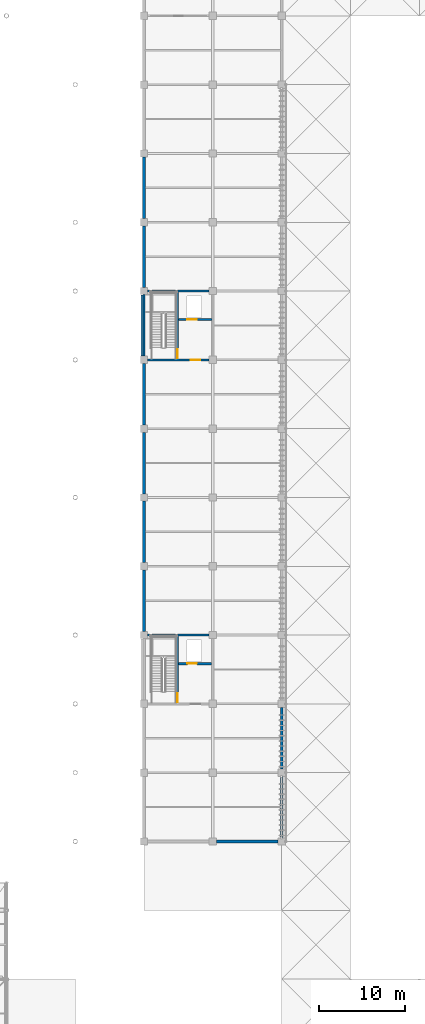
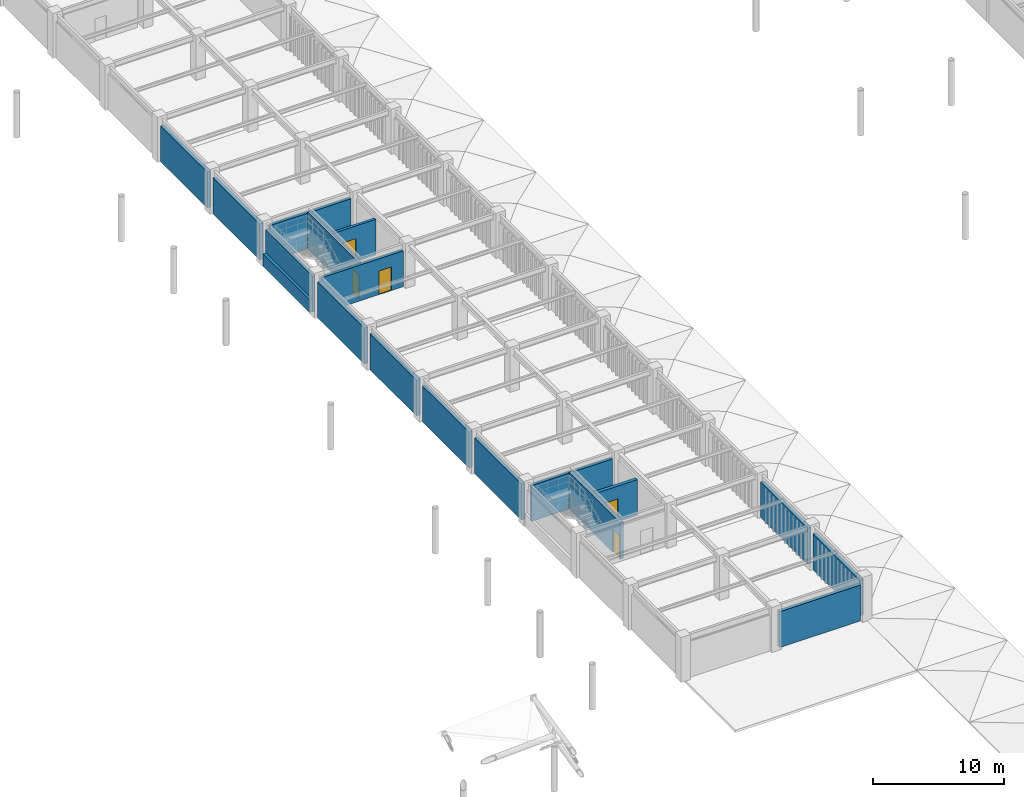
# One storey, part 55 of 78: 18 walls, 5 doors, 5 openings.
"""IFC4 building model written with IfcOpenShell, lengths in metres."""

from ifc_helpers import new_model, si_unit, direction, frame, frame_2d, origin, place, context, subcontext, project, spatial, rectangle, extrude, material, layer, layer_set, type_object, element, fill, save


model = new_model("IFC4")

# Units and contexts
model_context = context("Model", 3, precision=1e-05, world=origin(), true_north=direction((0.0, 1.0)))
body_context = subcontext(model_context, "Body", "Model", "MODEL_VIEW")
ifc_project = project(units=[si_unit("LENGTHUNIT", "METRE"), si_unit("AREAUNIT", "SQUARE_METRE"), si_unit("VOLUMEUNIT", "CUBIC_METRE"), si_unit("PLANEANGLEUNIT", "RADIAN"), si_unit("MASSUNIT", "GRAM", prefix="KILO")], contexts=[model_context])

# Site, building, storey
site_placement = place(None, origin())
site = spatial("IfcSite", under=ifc_project, at=site_placement, CompositionType="ELEMENT")
building_placement = place(site_placement, origin())
building = spatial("IfcBuilding", under=site, at=building_placement, Name="Haebicheon Civic Stadium", CompositionType="ELEMENT")
storey_placement = place(building_placement, frame((0.0, 0.0, 18.60009765625)))
storey = spatial("IfcBuildingStorey", under=building, at=storey_placement, Name="L05", CompositionType="ELEMENT", Elevation=18.60009765625)

# Wall
ifc_material_1 = material(Name="Concrete C40/50", Category="concrete")
ifc_layer_1 = layer(ifc_material_1, 0.239990234375, Name="Concrete C40/50")
ifc_layer_set_1 = layer_set([ifc_layer_1], Name="Concrete C40/50")
wall_type_1 = type_object("IfcWallType", Name="CW-SHR-240", PredefinedType="SHEAR", material=ifc_layer_set_1)
wall_1_placement = place(storey_placement, frame((144.425048828125, 72.0, 0.0), z_axis=(0.0, 0.0, 1.0), x_axis=(1.0, 0.0, 0.0)))
element("IfcWall", 1, at=wall_1_placement, inside=storey, type_object=wall_type_1, material=ifc_layer_set_1, Name="KC-10 L05 north core shear wall", PredefinedType="SHEAR", context=body_context, shape_type="SweptSolid", body=[
    extrude(rectangle(XDim=7.14990234375, YDim=0.239990234375, at=frame_2d((3.574951171875, 0.0))), origin(), (0.0, 0.0, 1.0), 3.33984375),
])

# Wall, opening, door
wall_2_placement = place(storey_placement, frame((144.425048828125, 104.0, 0.0), z_axis=(0.0, 0.0, 1.0), x_axis=(1.0, 0.0, 0.0)))
wall_2 = element("IfcWall", 2, at=wall_2_placement, inside=storey, type_object=wall_type_1, material=ifc_layer_set_1, Name="KC-11 L05 south core shear wall", PredefinedType="SHEAR", context=body_context, shape_type="SweptSolid", body=[
    extrude(rectangle(XDim=7.14990234375, YDim=0.239990234375, at=frame_2d((3.574951171875, 0.0))), origin(), (0.0, 0.0, 1.0), 3.33984375),
])
opening_1_placement = place(wall_2_placement, frame((5.0, 0.0, 0.0)))
opening_1 = element("IfcOpeningElement", 3, at=opening_1_placement, cuts=wall_2, Name="Opening D-L05-KC-11-LOB", PredefinedType="OPENING", context=body_context, shape_type="SweptSolid", body=[
    extrude(rectangle(XDim=1.10009765625, YDim=2.199951171875, at=frame_2d((0.550048828125, 1.10009765625))), frame((0.0, 0.1298828125, 0.0), z_axis=(0.0, -1.0, 0.0), x_axis=(1.0, 0.0, 0.0)), (0.0, 0.0, 1.0), 0.260009765625),
])
ifc_material_2 = material(Name="Galvanised painted steel SM355", Category="steel")
door_type_1 = type_object("IfcDoorType", Name="ID-FD-1100", OperationType="NOTDEFINED", PredefinedType="DOOR", material=ifc_material_2)
door_1_placement = place(opening_1_placement, origin())
door_1 = element("IfcDoor", 4, at=door_1_placement, inside=storey, type_object=door_type_1, material=ifc_material_2, Name="L05 KC-11 lobby fire door", OperationType="SINGLE_SWING_RIGHT", OverallHeight=2.199951171875, OverallWidth=1.10009765625, PredefinedType="DOOR", context=body_context, shape_type="SweptSolid", body=[
    extrude(rectangle(XDim=1.10009765625, YDim=2.199951171875, at=frame_2d((0.550048828125, 1.10009765625))), frame((0.0, 0.02490234375, 0.0), z_axis=(0.0, -1.0, 0.0), x_axis=(1.0, 0.0, 0.0)), (0.0, 0.0, 1.0), 0.050048828125),
])
fill(opening_1, door_1)

# Walls
for number, where, z_axis, x_axis, name in (
    (5, (144.425048828125, 112.0, 0.0), (0.0, 0.0, 1.0), (1.0, 0.0, 0.0), "KC-11 L05 north core shear wall"),
    (6, (144.0, 104.425048828125, 0.0), (0.0, 0.0, 1.0), (0.0, 1.0, 0.0), "KC-11 L05 west core shear wall"),
):
    element("IfcWall", number, at=place(storey_placement, frame(where, z_axis=z_axis, x_axis=x_axis)), inside=storey, type_object=wall_type_1, material=ifc_layer_set_1, Name=name, PredefinedType="SHEAR", context=body_context, shape_type="SweptSolid", body=[
        extrude(rectangle(XDim=7.14990234375, YDim=0.239990234375, at=frame_2d((3.574951171875, 0.0))), origin(), (0.0, 0.0, 1.0), 3.33984375),
    ])

# Wall, opening, door
wall_3_placement = place(storey_placement, frame((147.8798828125, 104.1201171875, 0.0), z_axis=(0.0, 0.0, 1.0), x_axis=(0.0, 1.0, 0.0)))
wall_3 = element("IfcWall", 7, at=wall_3_placement, inside=storey, type_object=wall_type_1, material=ifc_layer_set_1, Name="KC-11 L05 stair-lobby dividing shear wall", PredefinedType="SHEAR", context=body_context, shape_type="SweptSolid", body=[
    extrude(rectangle(XDim=7.759765625, YDim=0.239990234375, at=frame_2d((3.8798828125, 0.0))), origin(), (0.0, 0.0, 1.0), 3.43994140625),
])
opening_2_placement = place(wall_3_placement, frame((0.080078125, 0.0, 0.0)))
opening_2 = element("IfcOpeningElement", 8, at=opening_2_placement, cuts=wall_3, Name="Opening D-L05-KC-11-STR", PredefinedType="OPENING", context=body_context, shape_type="SweptSolid", body=[
    extrude(rectangle(XDim=1.050048828125, YDim=2.14990234375, at=frame_2d((0.52490234375, 1.074951171875))), frame((0.0, 0.1298828125, 0.0), z_axis=(0.0, -1.0, 0.0), x_axis=(1.0, 0.0, 0.0)), (0.0, 0.0, 1.0), 0.260009765625),
])
ifc_material_3 = material(Name="Galvanised painted steel SM355", Category="steel")
door_type_2 = type_object("IfcDoorType", Name="ID-FD-1050", OperationType="NOTDEFINED", PredefinedType="DOOR", material=ifc_material_3)
door_2_placement = place(opening_2_placement, origin())
door_2 = element("IfcDoor", 9, at=door_2_placement, inside=storey, type_object=door_type_2, material=ifc_material_3, Name="L05 ST-11 stairwell escape door", OperationType="SINGLE_SWING_LEFT", OverallHeight=2.14990234375, OverallWidth=1.050048828125, PredefinedType="DOOR", context=body_context, shape_type="SweptSolid", body=[
    extrude(rectangle(XDim=1.050048828125, YDim=2.14990234375, at=frame_2d((0.52490234375, 1.074951171875))), frame((0.0, 0.02490234375, 0.0), z_axis=(0.0, -1.0, 0.0), x_axis=(1.0, 0.0, 0.0)), (0.0, 0.0, 1.0), 0.050048828125),
])
fill(opening_2, door_2)

wall_4_placement = place(storey_placement, frame((148.0, 108.679931640625, 0.0), z_axis=(0.0, 0.0, 1.0), x_axis=(1.0, 0.0, 0.0)))
wall_4 = element("IfcWall", 10, at=wall_4_placement, inside=storey, type_object=wall_type_1, material=ifc_layer_set_1, Name="KC-11 L05 lift shaft front wall", PredefinedType="SHEAR", context=body_context, shape_type="SweptSolid", body=[
    extrude(rectangle(XDim=3.8798828125, YDim=0.239990234375, at=frame_2d((1.93994140625, 0.0))), origin(), (0.0, 0.0, 1.0), 3.33984375),
])
opening_3_placement = place(wall_4_placement, frame((1.0, 0.0, 0.0)))
opening_3 = element("IfcOpeningElement", 11, at=opening_3_placement, cuts=wall_4, Name="Opening LD-08-L05", PredefinedType="OPENING", context=body_context, shape_type="SweptSolid", body=[
    extrude(rectangle(XDim=1.10009765625, YDim=2.14990234375, at=frame_2d((0.550048828125, 1.074951171875))), frame((0.0, 0.1298828125, 0.0), z_axis=(0.0, -1.0, 0.0), x_axis=(1.0, 0.0, 0.0)), (0.0, 0.0, 1.0), 0.260009765625),
])
ifc_material_4 = material(Name="Stainless steel 316", Category="steel")
door_type_3 = type_object("IfcDoorType", Name="ID-LD-1100", OperationType="NOTDEFINED", PredefinedType="DOOR", material=ifc_material_4)
door_3_placement = place(opening_3_placement, origin())
door_3 = element("IfcDoor", 12, at=door_3_placement, inside=storey, type_object=door_type_3, material=ifc_material_4, Name="LF-08 lift landing sliding door L05", OperationType="SLIDING_TO_LEFT", OverallHeight=2.14990234375, OverallWidth=1.10009765625, PredefinedType="DOOR", context=body_context, shape_type="SweptSolid", body=[
    extrude(rectangle(XDim=1.10009765625, YDim=2.14990234375, at=frame_2d((0.550048828125, 1.074951171875))), frame((0.0, 0.02490234375, 0.0), z_axis=(0.0, -1.0, 0.0), x_axis=(1.0, 0.0, 0.0)), (0.0, 0.0, 1.0), 0.050048828125),
])
fill(opening_3, door_3)

ifc_material_5 = material(Name="Concrete C40/50", Category="concrete")
ifc_layer_2 = layer(ifc_material_5, 0.300048828125, Name="Concrete C40/50")
ifc_layer_set_2 = layer_set([ifc_layer_2], Name="Concrete C40/50")
wall_type_2 = type_object("IfcWallType", Name="CW-SHR-300", PredefinedType="SHEAR", material=ifc_layer_set_2)
wall_5_placement = place(storey_placement, frame((147.8798828125, 64.1201171875, 0.0), z_axis=(0.0, 0.0, 1.0), x_axis=(0.0, 1.0, 0.0)))
wall_5 = element("IfcWall", 13, at=wall_5_placement, inside=storey, type_object=wall_type_2, material=ifc_layer_set_2, Name="KC-10 L05 stair-lobby dividing shear wall", PredefinedType="SHEAR", context=body_context, shape_type="SweptSolid", body=[
    extrude(rectangle(XDim=7.759765625, YDim=0.300048828125, at=frame_2d((3.8798828125, 0.0))), origin(), (0.0, 0.0, 1.0), 3.43994140625),
])
opening_4_placement = place(wall_5_placement, frame((0.080078125, 0.0, 0.0)))
opening_4 = element("IfcOpeningElement", 14, at=opening_4_placement, cuts=wall_5, Name="Opening D-L05-KC-10-STR", PredefinedType="OPENING", context=body_context, shape_type="SweptSolid", body=[
    extrude(rectangle(XDim=1.050048828125, YDim=2.14990234375, at=frame_2d((0.52490234375, 1.074951171875))), frame((0.0, 0.159912109375, 0.0), z_axis=(0.0, -1.0, 0.0), x_axis=(1.0, 0.0, 0.0)), (0.0, 0.0, 1.0), 0.320068359375),
])
door_4_placement = place(opening_4_placement, origin())
door_4 = element("IfcDoor", 15, at=door_4_placement, inside=storey, type_object=door_type_2, material=ifc_material_3, Name="L05 ST-10 stairwell escape door", OperationType="SINGLE_SWING_RIGHT", OverallHeight=2.14990234375, OverallWidth=1.050048828125, PredefinedType="DOOR", context=body_context, shape_type="SweptSolid", body=[
    extrude(rectangle(XDim=1.050048828125, YDim=2.14990234375, at=frame_2d((0.52490234375, 1.074951171875))), frame((0.0, 0.02490234375, 0.0), z_axis=(0.0, -1.0, 0.0), x_axis=(1.0, 0.0, 0.0)), (0.0, 0.0, 1.0), 0.050048828125),
])
fill(opening_4, door_4)

wall_6_placement = place(storey_placement, frame((148.030029296875, 68.679931640625, 0.0), z_axis=(0.0, 0.0, 1.0), x_axis=(1.0, 0.0, 0.0)))
wall_6 = element("IfcWall", 16, at=wall_6_placement, inside=storey, type_object=wall_type_2, material=ifc_layer_set_2, Name="KC-10 L05 lift shaft front wall", PredefinedType="SHEAR", context=body_context, shape_type="SweptSolid", body=[
    extrude(rectangle(XDim=3.820068359375, YDim=0.300048828125, at=frame_2d((1.91015625, 0.0))), origin(), (0.0, 0.0, 1.0), 3.33984375),
])
opening_5_placement = place(wall_6_placement, frame((1.0, 0.0, 0.0)))
opening_5 = element("IfcOpeningElement", 17, at=opening_5_placement, cuts=wall_6, Name="Opening LD-07-L05", PredefinedType="OPENING", context=body_context, shape_type="SweptSolid", body=[
    extrude(rectangle(XDim=1.10009765625, YDim=2.14990234375, at=frame_2d((0.550048828125, 1.074951171875))), frame((0.0, 0.159912109375, 0.0), z_axis=(0.0, -1.0, 0.0), x_axis=(1.0, 0.0, 0.0)), (0.0, 0.0, 1.0), 0.320068359375),
])
door_5_placement = place(opening_5_placement, origin())
door_5 = element("IfcDoor", 18, at=door_5_placement, inside=storey, type_object=door_type_3, material=ifc_material_4, Name="LF-07 lift landing sliding door L05", OperationType="SLIDING_TO_LEFT", OverallHeight=2.14990234375, OverallWidth=1.10009765625, PredefinedType="DOOR", context=body_context, shape_type="SweptSolid", body=[
    extrude(rectangle(XDim=1.10009765625, YDim=2.14990234375, at=frame_2d((0.550048828125, 1.074951171875))), frame((0.0, 0.02490234375, 0.0), z_axis=(0.0, -1.0, 0.0), x_axis=(1.0, 0.0, 0.0)), (0.0, 0.0, 1.0), 0.050048828125),
])
fill(opening_5, door_5)

# Walls
ifc_material_6 = material(Name="Precast concrete C40/50", Category="concrete")
ifc_layer_3 = layer(ifc_material_6, 0.320068359375, Name="Precast concrete C40/50")
ifc_layer_set_3 = layer_set([ifc_layer_3], Name="Precast concrete C40/50")
wall_type_3 = type_object("IfcWallType", Name="EW-BM-320", PredefinedType="SOLIDWALL", material=ifc_layer_set_3)
for number, where, z_axis, x_axis, name in (
    (19, (144.0, 72.425048828125, 0.0), (0.0, 0.0, 1.0), (0.0, 1.0, 0.0), "L05 board-marked concrete facade wall 18-09-W"),
    (20, (144.0, 80.425048828125, 0.0), (0.0, 0.0, 1.0), (0.0, 1.0, 0.0), "L05 board-marked concrete facade wall 18-10-W"),
    (21, (144.0, 88.425048828125, 0.0), (0.0, 0.0, 1.0), (0.0, 1.0, 0.0), "L05 board-marked concrete facade wall 18-11-W"),
    (22, (144.0, 96.425048828125, 0.0), (0.0, 0.0, 1.0), (0.0, 1.0, 0.0), "L05 board-marked concrete facade wall 18-12-W"),
    (23, (144.0, 112.425048828125, 0.0), (0.0, 0.0, 1.0), (0.0, 1.0, 0.0), "L05 board-marked concrete facade wall 18-14-W"),
    (24, (144.0, 120.425048828125, 0.0), (0.0, 0.0, 1.0), (0.0, 1.0, 0.0), "L05 board-marked concrete facade wall 18-15-W"),
):
    element("IfcWall", number, at=place(storey_placement, frame(where, z_axis=z_axis, x_axis=x_axis)), inside=storey, type_object=wall_type_3, material=ifc_layer_set_3, Name=name, PredefinedType="SOLIDWALL", context=body_context, shape_type="SweptSolid", body=[
        extrude(rectangle(XDim=7.14990234375, YDim=0.320068359375, at=frame_2d((3.574951171875, 0.0))), origin(), (0.0, 0.0, 1.0), 3.33984375),
    ])
wall_7_placement = place(storey_placement, frame((152.425048828125, 48.0, 0.0), z_axis=(0.0, 0.0, 1.0), x_axis=(1.0, 0.0, 0.0)))
element("IfcWall", 25, at=wall_7_placement, inside=storey, type_object=wall_type_3, material=ifc_layer_set_3, Name="L05 board-marked concrete facade wall 19-06-S", PredefinedType="SOLIDWALL", context=body_context, shape_type="SweptSolid", body=[
    extrude(rectangle(XDim=7.14990234375, YDim=0.320068359375, at=frame_2d((3.574951171875, 0.0))), origin(), (0.0, 0.0, 1.0), 3.349853515625),
])
for number, where, z_axis, x_axis, name in (
    (26, (160.0, 48.425048828125, 0.0), (0.0, 0.0, 1.0), (0.0, 1.0, 0.0), "L05 board-marked concrete facade wall 20-06-E"),
    (27, (160.0, 56.425048828125, 0.0), (0.0, 0.0, 1.0), (0.0, 1.0, 0.0), "L05 board-marked concrete facade wall 20-07-E"),
):
    element("IfcWall", number, at=place(storey_placement, frame(where, z_axis=z_axis, x_axis=x_axis)), inside=storey, type_object=wall_type_3, material=ifc_layer_set_3, Name=name, PredefinedType="SOLIDWALL", context=body_context, shape_type="SweptSolid", body=[
        extrude(rectangle(XDim=7.14990234375, YDim=0.320068359375, at=frame_2d((3.574951171875, 0.0))), origin(), (0.0, 0.0, 1.0), 3.33984375),
    ])
ifc_material_7 = material(Name="Precast concrete C40/50", Category="concrete")
ifc_layer_4 = layer(ifc_material_7, 0.25, Name="Precast concrete C40/50")
ifc_layer_set_4 = layer_set([ifc_layer_4], Name="Precast concrete C40/50")
wall_type_4 = type_object("IfcWallType", Name="EW-PAR-250", PredefinedType="PARAPET", material=ifc_layer_set_4)
wall_8_placement = place(storey_placement, frame((143.760009765625, 104.449951171875, 0.0), z_axis=(0.0, 0.0, 1.0), x_axis=(0.0, 1.0, 0.0)))
element("IfcWall", 28, at=wall_8_placement, inside=storey, type_object=wall_type_4, material=ifc_layer_set_4, Name="TIER-E-U upper gangway parapet 8", PredefinedType="PARAPET", context=body_context, shape_type="SweptSolid", body=[
    extrude(rectangle(XDim=7.10009765625, YDim=0.25, at=frame_2d((3.550048828125, 0.0))), origin(), (0.0, 0.0, 1.0), 1.199951171875),
])

save(model, "model.ifc")
